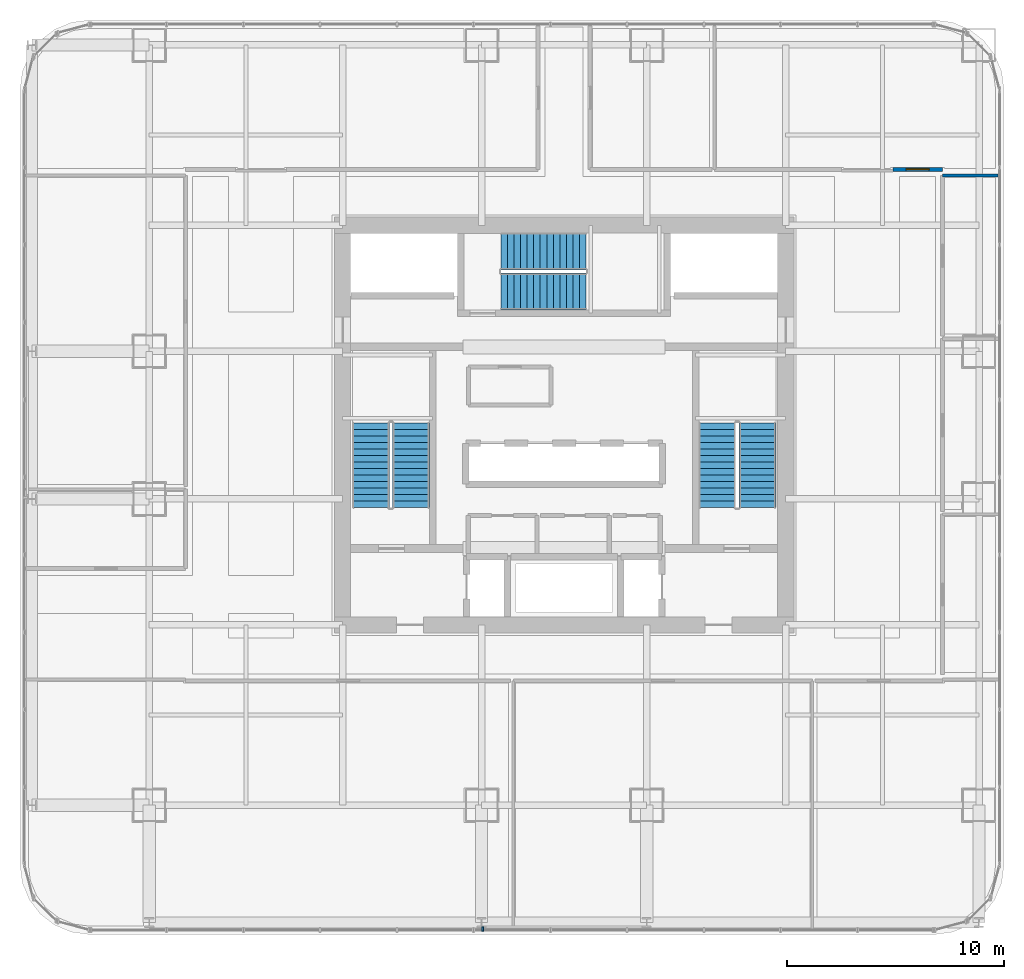
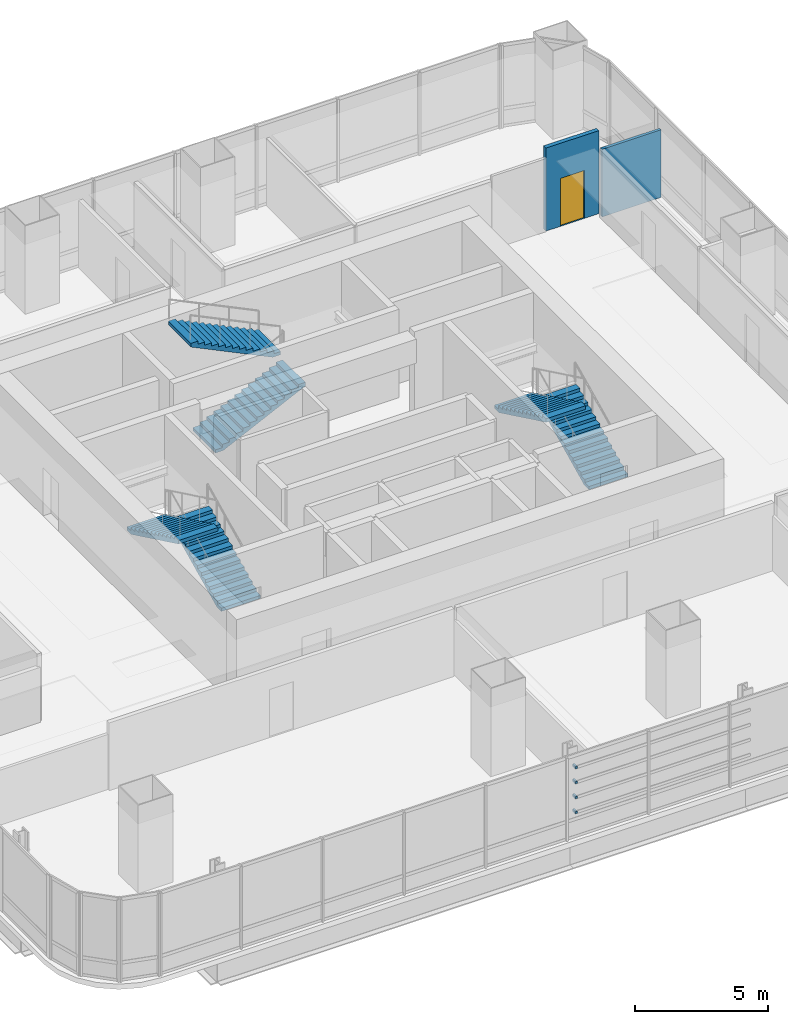
# One storey, part 30 of 36: 6 stair flights, 4 discrete accessories, 2 walls, 1 door, 1 opening, 3 elements without a shape of their own.
"""IFC4 building model written with IfcOpenShell, lengths in metres."""

from ifc_helpers import new_model, si_unit, direction, frame, frame_2d, origin, origin_2d, place, context, subcontext, project, spatial, polyline, rectangle, outline, extrude, material, layer, layer_set, type_object, element, fill, aggregate, save


model = new_model("IFC4")

# Units and contexts
model_context = context("Model", 3, precision=1e-05, world=origin(), true_north=direction((0.0, 1.0)))
body_context = subcontext(model_context, "Body", "Model", "MODEL_VIEW")
ifc_project = project(units=[si_unit("LENGTHUNIT", "METRE"), si_unit("AREAUNIT", "SQUARE_METRE"), si_unit("VOLUMEUNIT", "CUBIC_METRE"), si_unit("PLANEANGLEUNIT", "RADIAN"), si_unit("MASSUNIT", "GRAM", prefix="KILO")], contexts=[model_context])

# Site, building, storey
site_placement = place(None, origin())
site = spatial("IfcSite", under=ifc_project, at=site_placement, CompositionType="ELEMENT")
building_placement = place(site_placement, origin())
building = spatial("IfcBuilding", under=site, at=building_placement, Name="Punatoya Terracotta Tower", CompositionType="ELEMENT")
storey_placement = place(building_placement, frame((0.0, 0.0, 36.300048828125)))
storey = spatial("IfcBuildingStorey", under=building, at=storey_placement, Name="L07", CompositionType="ELEMENT", Elevation=36.300048828125)

# Wall, opening, door
ifc_material_1 = material(Name="Gypsum Fireboard + Steel Stud", Category="steel")
ifc_layer_1 = layer(ifc_material_1, 0.179931640625)
ifc_layer_set_1 = layer_set([ifc_layer_1], Name="Gypsum Fireboard + Steel Stud")
wall_type_1 = type_object("IfcWallType", Name="WL-CORR-180", PredefinedType="PARTITIONING", material=ifc_layer_set_1)
wall_1_placement = place(storey_placement, frame((17.419921875, 11.77001953125, 0.0), z_axis=(0.0, 0.0, 1.0), x_axis=(-1.0, 0.0, 0.0)))
wall_1 = element("IfcWall", 1, at=wall_1_placement, inside=storey, type_object=wall_type_1, Name="L07 Open-Plan Regional Operations Office Partition 34", PredefinedType="PARTITIONING", context=body_context, shape_type="SweptSolid", body=[
    extrude(rectangle(XDim=2.2900390625, YDim=0.179931640625, at=frame_2d((1.14501953125, 0.0))), origin(), (0.0, 0.0, 1.0), 3.81005859375),
])
opening_placement = place(wall_1_placement, frame((0.6201171875, 0.0, 0.0)))
opening = element("IfcOpeningElement", 2, at=opening_placement, cuts=wall_1, Name="Opening OD-01", PredefinedType="OPENING", context=body_context, shape_type="SweptSolid", body=[
    extrude(rectangle(XDim=1.050048828125, YDim=2.199951171875, at=frame_2d((0.52490234375, 1.10009765625))), frame((0.0, 0.099853515625, 0.0), z_axis=(0.0, -1.0, 0.0), x_axis=(1.0, 0.0, 0.0)), (0.0, 0.0, 1.0), 0.199951171875),
])
ifc_material_2 = material(Name="Bengal Teak Solid-Core Leaf")
door_type = type_object("IfcDoorType", Name="DR-OFF-1050", OperationType="NOTDEFINED", PredefinedType="DOOR", material=ifc_material_2)
door_placement = place(opening_placement, origin())
door = element("IfcDoor", 3, at=door_placement, inside=storey, type_object=door_type, Name="L07 Open-Plan Regional Operations Office Door", OperationType="SINGLE_SWING_LEFT", OverallHeight=2.199951171875, OverallWidth=1.050048828125, PredefinedType="DOOR", context=body_context, shape_type="SweptSolid", body=[
    extrude(rectangle(XDim=1.050048828125, YDim=2.199951171875, at=frame_2d((0.52490234375, 1.10009765625))), frame((0.0, 0.02490234375, 0.0), z_axis=(0.0, -1.0, 0.0), x_axis=(1.0, 0.0, 0.0)), (0.0, 0.0, 1.0), 0.050048828125),
])
fill(opening, door)

# Wall
ifc_material_3 = material(Name="Gypsum Partition + Steel Stud", Category="steel")
ifc_layer_2 = layer(ifc_material_3, 0.1201171875)
ifc_layer_set_2 = layer_set([ifc_layer_2], Name="Gypsum Partition + Steel Stud")
wall_type_2 = type_object("IfcWallType", Name="WL-OFF-120", PredefinedType="PARTITIONING", material=ifc_layer_set_2)
wall_2_placement = place(storey_placement, frame((17.419921875, 11.489990234375, 0.0), z_axis=(0.0, 0.0, 1.0), x_axis=(1.0, 0.0, 0.0)))
element("IfcWall", 4, at=wall_2_placement, inside=storey, type_object=wall_type_2, Name="L07 Systems Engineering Office Partition 28", PredefinedType="PARTITIONING", context=body_context, shape_type="SweptSolid", body=[
    extrude(rectangle(XDim=2.550048828125, YDim=0.1201171875, at=frame_2d((1.27490234375, 0.0))), origin(), (0.0, 0.0, 1.0), 3.10400390625),
])

# Stair, stair flights
ifc_material_4 = material(Name="Concrete C40/50", Category="concrete")
stair_type_1 = type_object("IfcStairType", Name="STR-CORE-1550", PredefinedType="HALF_TURN_STAIR", material=ifc_material_4)
stair_1_placement = place(storey_placement, origin())
stair_1 = element("IfcStair", 5, at=stair_1_placement, inside=storey, type_object=stair_type_1, Name="L07 Protected Core Exit Stair ST-1", PredefinedType="HALF_TURN_STAIR")
stair_flight_type_1 = type_object("IfcStairFlightType", Name="SFL-CORE-1550", PredefinedType="STRAIGHT", material=ifc_material_4)
stair_flight_1_placement = place(storey_placement, frame((-7.050048828125, -3.800048828125, 0.0), z_axis=(0.0, 0.0, 1.0), x_axis=(0.0, 1.0, 0.0)))
stair_flight_1 = element("IfcStairFlight", 6, at=stair_flight_1_placement, type_object=stair_flight_type_1, Name="ST-1 flight 1", NumberOfRisers=14, NumberOfTreads=13, PredefinedType="STRAIGHT", RiserHeight=0.144642857, TreadLength=0.3, context=body_context, shape_type="SweptSolid", body=[
    extrude(outline(polyline([(0.0, 0.0), (0.0, 0.14453125), (0.300048828125, 0.14453125), (0.300048828125, 0.289306640625), (0.60009765625, 0.289306640625), (0.60009765625, 0.433837890625), (0.89990234375, 0.433837890625), (0.89990234375, 0.57861328125), (1.199951171875, 0.57861328125), (1.199951171875, 0.72314453125), (1.5, 0.72314453125), (1.5, 0.867919921875), (1.800048828125, 0.867919921875), (1.800048828125, 1.012451171875), (2.10009765625, 1.012451171875), (2.10009765625, 1.1572265625), (2.39990234375, 1.1572265625), (2.39990234375, 1.3017578125), (2.699951171875, 1.3017578125), (2.699951171875, 1.446533203125), (3.0, 1.446533203125), (3.0, 1.591064453125), (3.300048828125, 1.591064453125), (3.300048828125, 1.735595703125), (3.60009765625, 1.735595703125), (3.60009765625, 1.88037109375), (3.89990234375, 1.88037109375), (3.89990234375, 2.02490234375), (3.89990234375, 1.7138671875), (0.34521484375, 0.0), (0.0, 0.0)])), frame((0.0, 0.85009765625, 0.0), z_axis=(0.0, -1.0, 0.0), x_axis=(1.0, 0.0, 0.0)), (0.0, 0.0, 1.0), 1.699951171875),
])
stair_flight_2_placement = place(storey_placement, frame((-8.89990234375, 0.10009765625, 2.02490234375), z_axis=(0.0, 0.0, 1.0), x_axis=(0.0, -1.0, 0.0)))
stair_flight_2 = element("IfcStairFlight", 7, at=stair_flight_2_placement, type_object=stair_flight_type_1, Name="ST-1 flight 2", NumberOfRisers=14, NumberOfTreads=13, PredefinedType="STRAIGHT", RiserHeight=0.144642857, TreadLength=0.3, context=body_context, shape_type="SweptSolid", body=[
    extrude(outline(polyline([(0.0, 0.0), (0.0, 0.14453125), (0.300048828125, 0.14453125), (0.300048828125, 0.289306640625), (0.60009765625, 0.289306640625), (0.60009765625, 0.433837890625), (0.89990234375, 0.433837890625), (0.89990234375, 0.57861328125), (1.199951171875, 0.57861328125), (1.199951171875, 0.72314453125), (1.5, 0.72314453125), (1.5, 0.867919921875), (1.800048828125, 0.867919921875), (1.800048828125, 1.012451171875), (2.10009765625, 1.012451171875), (2.10009765625, 1.1572265625), (2.39990234375, 1.1572265625), (2.39990234375, 1.3017578125), (2.699951171875, 1.3017578125), (2.699951171875, 1.446533203125), (3.0, 1.446533203125), (3.0, 1.591064453125), (3.300048828125, 1.591064453125), (3.300048828125, 1.735595703125), (3.60009765625, 1.735595703125), (3.60009765625, 1.88037109375), (3.89990234375, 1.88037109375), (3.89990234375, 2.02490234375), (3.89990234375, 1.7138671875), (0.34521484375, 0.0), (0.0, 0.0)])), frame((0.0, 0.85009765625, 0.0), z_axis=(0.0, -1.0, 0.0), x_axis=(1.0, 0.0, 0.0)), (0.0, 0.0, 1.0), 1.699951171875),
])
aggregate(stair_1, [stair_flight_1, stair_flight_2])

stair_type_2 = type_object("IfcStairType", Name="STR-LOB-1650", PredefinedType="HALF_TURN_STAIR", material=ifc_material_4)
stair_2_placement = place(storey_placement, origin())
stair_2 = element("IfcStair", 8, at=stair_2_placement, inside=storey, type_object=stair_type_2, Name="L07 Protected Core Exit Stair ST-2", PredefinedType="HALF_TURN_STAIR")
stair_flight_type_2 = type_object("IfcStairFlightType", Name="SFL-LOB-1650", PredefinedType="STRAIGHT", material=ifc_material_4)
stair_flight_3_placement = place(storey_placement, frame((8.89990234375, -3.800048828125, 0.0), z_axis=(0.0, 0.0, 1.0), x_axis=(0.0, 1.0, 0.0)))
stair_flight_3 = element("IfcStairFlight", 9, at=stair_flight_3_placement, type_object=stair_flight_type_2, Name="ST-2 flight 1", NumberOfRisers=14, NumberOfTreads=13, PredefinedType="STRAIGHT", RiserHeight=0.144642857, TreadLength=0.3, context=body_context, shape_type="SweptSolid", body=[
    extrude(outline(polyline([(0.0, 0.0), (0.0, 0.14453125), (0.300048828125, 0.14453125), (0.300048828125, 0.289306640625), (0.60009765625, 0.289306640625), (0.60009765625, 0.433837890625), (0.89990234375, 0.433837890625), (0.89990234375, 0.57861328125), (1.199951171875, 0.57861328125), (1.199951171875, 0.72314453125), (1.5, 0.72314453125), (1.5, 0.867919921875), (1.800048828125, 0.867919921875), (1.800048828125, 1.012451171875), (2.10009765625, 1.012451171875), (2.10009765625, 1.1572265625), (2.39990234375, 1.1572265625), (2.39990234375, 1.3017578125), (2.699951171875, 1.3017578125), (2.699951171875, 1.446533203125), (3.0, 1.446533203125), (3.0, 1.591064453125), (3.300048828125, 1.591064453125), (3.300048828125, 1.735595703125), (3.60009765625, 1.735595703125), (3.60009765625, 1.88037109375), (3.89990234375, 1.88037109375), (3.89990234375, 2.02490234375), (3.89990234375, 1.7138671875), (0.34521484375, 0.0), (0.0, 0.0)])), frame((0.0, 0.85009765625, 0.0), z_axis=(0.0, -1.0, 0.0), x_axis=(1.0, 0.0, 0.0)), (0.0, 0.0, 1.0), 1.699951171875),
])
stair_flight_4_placement = place(storey_placement, frame((7.050048828125, 0.10009765625, 2.02490234375), z_axis=(0.0, 0.0, 1.0), x_axis=(0.0, -1.0, 0.0)))
stair_flight_4 = element("IfcStairFlight", 10, at=stair_flight_4_placement, type_object=stair_flight_type_2, Name="ST-2 flight 2", NumberOfRisers=14, NumberOfTreads=13, PredefinedType="STRAIGHT", RiserHeight=0.144642857, TreadLength=0.3, context=body_context, shape_type="SweptSolid", body=[
    extrude(outline(polyline([(0.0, 0.0), (0.0, 0.14453125), (0.300048828125, 0.14453125), (0.300048828125, 0.289306640625), (0.60009765625, 0.289306640625), (0.60009765625, 0.433837890625), (0.89990234375, 0.433837890625), (0.89990234375, 0.57861328125), (1.199951171875, 0.57861328125), (1.199951171875, 0.72314453125), (1.5, 0.72314453125), (1.5, 0.867919921875), (1.800048828125, 0.867919921875), (1.800048828125, 1.012451171875), (2.10009765625, 1.012451171875), (2.10009765625, 1.1572265625), (2.39990234375, 1.1572265625), (2.39990234375, 1.3017578125), (2.699951171875, 1.3017578125), (2.699951171875, 1.446533203125), (3.0, 1.446533203125), (3.0, 1.591064453125), (3.300048828125, 1.591064453125), (3.300048828125, 1.735595703125), (3.60009765625, 1.735595703125), (3.60009765625, 1.88037109375), (3.89990234375, 1.88037109375), (3.89990234375, 2.02490234375), (3.89990234375, 1.7138671875), (0.34521484375, 0.0), (0.0, 0.0)])), frame((0.0, 0.85009765625, 0.0), z_axis=(0.0, -1.0, 0.0), x_axis=(1.0, 0.0, 0.0)), (0.0, 0.0, 1.0), 1.699951171875),
])
aggregate(stair_2, [stair_flight_3, stair_flight_4])

stair_type_3 = type_object("IfcStairType", Name="STR-TER-1450", PredefinedType="HALF_TURN_STAIR", material=ifc_material_4)
stair_3_placement = place(storey_placement, origin())
stair_3 = element("IfcStair", 11, at=stair_3_placement, inside=storey, type_object=stair_type_3, Name="L07 Protected Core Exit Stair ST-3", PredefinedType="HALF_TURN_STAIR")
stair_flight_type_3 = type_object("IfcStairFlightType", Name="SFL-TER-1450", PredefinedType="STRAIGHT", material=ifc_material_4)
stair_flight_5_placement = place(storey_placement, frame((-2.89990234375, 6.14990234375, 0.0), z_axis=(0.0, 0.0, 1.0), x_axis=(1.0, 0.0, 0.0)))
stair_flight_5 = element("IfcStairFlight", 12, at=stair_flight_5_placement, type_object=stair_flight_type_3, Name="ST-3 flight 1", NumberOfRisers=14, NumberOfTreads=13, PredefinedType="STRAIGHT", RiserHeight=0.144642857, TreadLength=0.3, context=body_context, shape_type="SweptSolid", body=[
    extrude(outline(polyline([(0.0, 0.0), (0.0, 0.14453125), (0.300048828125, 0.14453125), (0.300048828125, 0.289306640625), (0.60009765625, 0.289306640625), (0.60009765625, 0.433837890625), (0.89990234375, 0.433837890625), (0.89990234375, 0.57861328125), (1.199951171875, 0.57861328125), (1.199951171875, 0.72314453125), (1.5, 0.72314453125), (1.5, 0.867919921875), (1.800048828125, 0.867919921875), (1.800048828125, 1.012451171875), (2.10009765625, 1.012451171875), (2.10009765625, 1.1572265625), (2.39990234375, 1.1572265625), (2.39990234375, 1.3017578125), (2.699951171875, 1.3017578125), (2.699951171875, 1.446533203125), (3.0, 1.446533203125), (3.0, 1.591064453125), (3.300048828125, 1.591064453125), (3.300048828125, 1.735595703125), (3.60009765625, 1.735595703125), (3.60009765625, 1.88037109375), (3.89990234375, 1.88037109375), (3.89990234375, 2.02490234375), (3.89990234375, 1.7138671875), (0.34521484375, 0.0), (0.0, 0.0)])), frame((0.0, 0.85009765625, 0.0), z_axis=(0.0, -1.0, 0.0), x_axis=(1.0, 0.0, 0.0)), (0.0, 0.0, 1.0), 1.699951171875),
])
stair_flight_6_placement = place(storey_placement, frame((1.0, 8.0, 2.02490234375), z_axis=(0.0, 0.0, 1.0), x_axis=(-1.0, 0.0, 0.0)))
stair_flight_6 = element("IfcStairFlight", 13, at=stair_flight_6_placement, type_object=stair_flight_type_3, Name="ST-3 flight 2", NumberOfRisers=14, NumberOfTreads=13, PredefinedType="STRAIGHT", RiserHeight=0.144642857, TreadLength=0.3, context=body_context, shape_type="SweptSolid", body=[
    extrude(outline(polyline([(0.0, 0.0), (0.0, 0.14453125), (0.300048828125, 0.14453125), (0.300048828125, 0.289306640625), (0.60009765625, 0.289306640625), (0.60009765625, 0.433837890625), (0.89990234375, 0.433837890625), (0.89990234375, 0.57861328125), (1.199951171875, 0.57861328125), (1.199951171875, 0.72314453125), (1.5, 0.72314453125), (1.5, 0.867919921875), (1.800048828125, 0.867919921875), (1.800048828125, 1.012451171875), (2.10009765625, 1.012451171875), (2.10009765625, 1.1572265625), (2.39990234375, 1.1572265625), (2.39990234375, 1.3017578125), (2.699951171875, 1.3017578125), (2.699951171875, 1.446533203125), (3.0, 1.446533203125), (3.0, 1.591064453125), (3.300048828125, 1.591064453125), (3.300048828125, 1.735595703125), (3.60009765625, 1.735595703125), (3.60009765625, 1.88037109375), (3.89990234375, 1.88037109375), (3.89990234375, 2.02490234375), (3.89990234375, 1.7138671875), (0.34521484375, 0.0), (0.0, 0.0)])), frame((0.0, 0.85009765625, 0.0), z_axis=(0.0, -1.0, 0.0), x_axis=(1.0, 0.0, 0.0)), (0.0, 0.0, 1.0), 1.699951171875),
])
aggregate(stair_3, [stair_flight_5, stair_flight_6])

# Discrete accessories
ifc_material_5 = material(Name="Steel S355", Category="steel")
discrete_accessory_type = type_object("IfcDiscreteAccessoryType", Name="ACC-BRK-220", PredefinedType="BRACKET", material=ifc_material_5)
for number, where, z_axis, x_axis, name in (
    (14, (-3.75, -23.193115234375, 1.099853515625), (0.0, 0.0, 1.0), (1.0, 0.0, 0.0), "L07 Baguette Louvre Column Bracket BAG-L07-S-01"),
    (15, (-3.75, -23.193115234375, 1.78662109375), (0.0, 0.0, 1.0), (1.0, 0.0, 0.0), "L07 Baguette Louvre Column Bracket BAG-L07-S-02"),
    (16, (-3.75, -23.193115234375, 2.47314453125), (0.0, 0.0, 1.0), (1.0, 0.0, 0.0), "L07 Baguette Louvre Column Bracket BAG-L07-S-03"),
    (17, (-3.75, -23.193115234375, 3.159912109375), (0.0, 0.0, 1.0), (1.0, 0.0, 0.0), "L07 Baguette Louvre Column Bracket BAG-L07-S-04"),
):
    element("IfcDiscreteAccessory", number, at=place(storey_placement, frame(where, z_axis=z_axis, x_axis=x_axis)), inside=storey, type_object=discrete_accessory_type, Name=name, PredefinedType="BRACKET", context=body_context, shape_type="SweptSolid", body=[
        extrude(rectangle(XDim=0.090087890625, YDim=0.219970703125, at=origin_2d()), origin(), (0.0, 0.0, 1.0), 0.10009765625),
    ])

save(model, "model.ifc")
